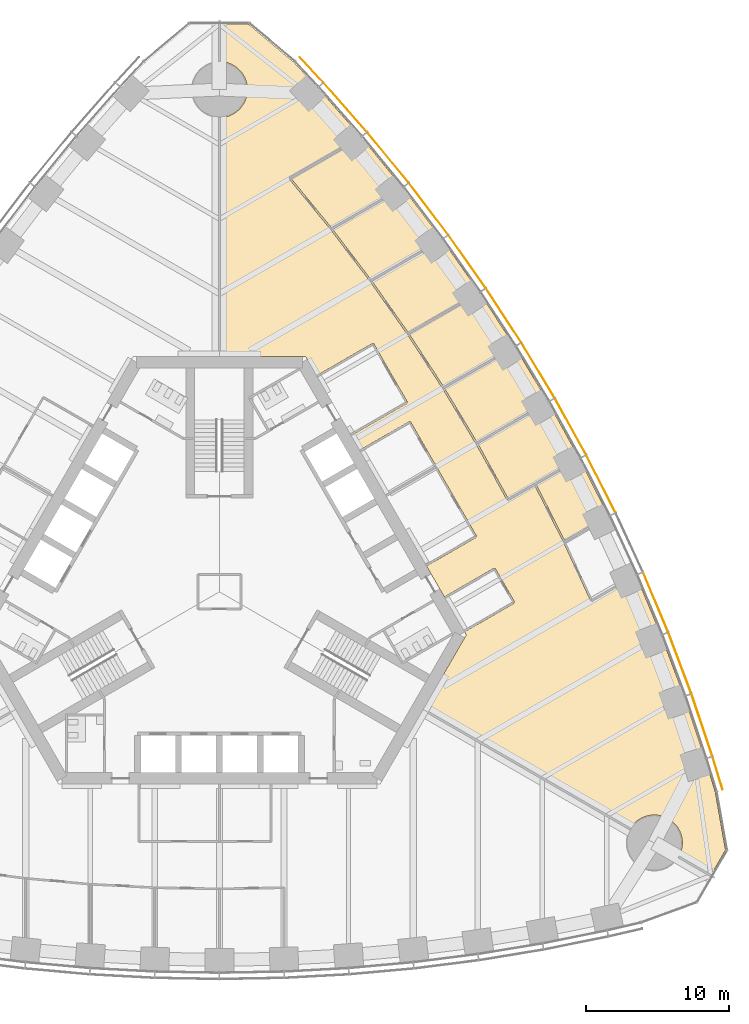
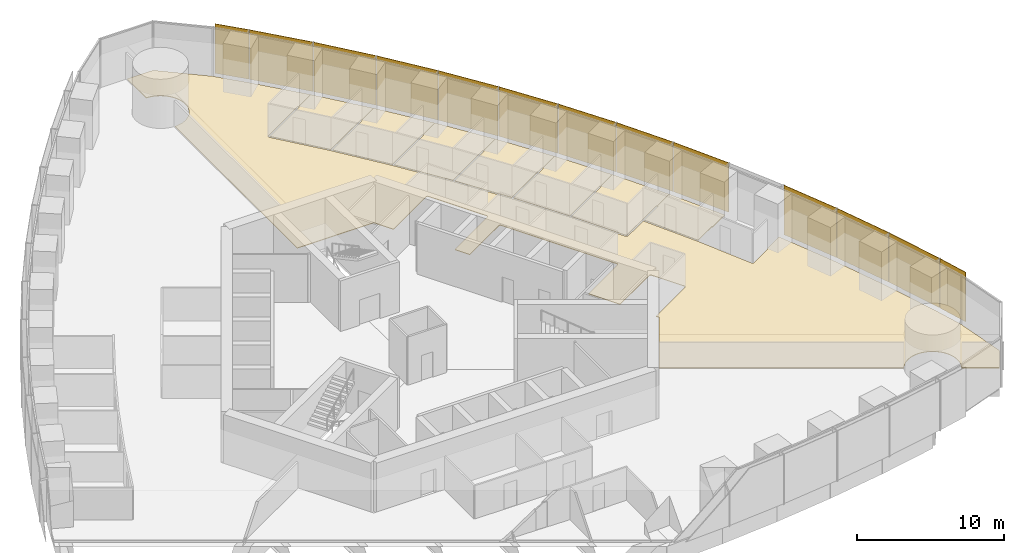
# One storey, part 16 of 18: 13 shading devices, 8 coverings.
"""IFC4 building model written with IfcOpenShell, lengths in metres."""

from ifc_helpers import new_model, si_unit, direction, frame, origin, origin_2d, place, context, subcontext, project, spatial, polyline, rectangle, outline, extrude, material, layer, layer_set, type_object, element, save


model = new_model("IFC4")

# Units and contexts
model_context = context("Model", 3, precision=1e-05, world=origin(), true_north=direction((0.0, 1.0)))
body_context = subcontext(model_context, "Body", "Model", "MODEL_VIEW")
ifc_project = project(units=[si_unit("LENGTHUNIT", "METRE"), si_unit("AREAUNIT", "SQUARE_METRE"), si_unit("VOLUMEUNIT", "CUBIC_METRE"), si_unit("PLANEANGLEUNIT", "RADIAN"), si_unit("MASSUNIT", "GRAM", prefix="KILO")], contexts=[model_context])

# Site, building, storey
site_placement = place(None, origin())
site = spatial("IfcSite", under=ifc_project, at=site_placement, CompositionType="ELEMENT")
building_placement = place(site_placement, origin())
building = spatial("IfcBuilding", under=site, at=building_placement, Name="Trefoil Bronze Tower", CompositionType="ELEMENT")
storey_placement = place(building_placement, frame((0.0, 0.0, 157.699951171875)))
storey = spatial("IfcBuildingStorey", under=building, at=storey_placement, Name="L36", CompositionType="ELEMENT", Elevation=157.699951171875)

# Shading devices
ifc_material_1 = material(Name="Perforated bronze sheet", Category="bronze")
ifc_layer_1 = layer(ifc_material_1, 0.0400390625)
ifc_layer_set_1 = layer_set([ifc_layer_1], Name="Bronze solar screen panel")
shading_device_type = type_object("IfcShadingDeviceType", Name="Bronze solar screen panel", PredefinedType="SHUTTER", material=ifc_layer_set_1)
shading_device_1_placement = place(storey_placement, frame((34.717529296875, -12.634765625, 0.050048828125), z_axis=(0.0, 0.0, 1.0), x_axis=(-0.291668676391, 0.956519410787, 0.0)))
element("IfcShadingDevice", 1, at=shading_device_1_placement, inside=storey, type_object=shading_device_type, Name="Solar screen CW-A L36 F2 bay 1", PredefinedType="SHUTTER", context=body_context, shape_type="SweptSolid", body=[
    extrude(rectangle(XDim=2.39013671875, YDim=0.0400390625, at=origin_2d()), origin(), (0.0, 0.0, 1.0), 4.10009765625),
])
shading_device_2_placement = place(storey_placement, frame((33.62890625, -9.286865234375, 0.050048828125), z_axis=(0.0, 0.0, 1.0), x_axis=(-0.318403749569, 0.947955195281, 0.0)))
element("IfcShadingDevice", 2, at=shading_device_2_placement, inside=storey, type_object=shading_device_type, Name="Solar screen CW-A L36 F2 bay 2", PredefinedType="SHUTTER", context=body_context, shape_type="SweptSolid", body=[
    extrude(rectangle(XDim=4.56103515625, YDim=0.0400390625, at=origin_2d()), origin(), (0.0, 0.0, 1.0), 4.10009765625),
])
shading_device_3_placement = place(storey_placement, frame((32.086669921875, -4.95849609375, 0.050048828125), z_axis=(0.0, 0.0, 1.0), x_axis=(-0.352919739707, 0.935653599002, 0.0)))
element("IfcShadingDevice", 3, at=shading_device_3_placement, inside=storey, type_object=shading_device_type, Name="Solar screen CW-A L36 F2 bay 3", PredefinedType="SHUTTER", context=body_context, shape_type="SweptSolid", body=[
    extrude(rectangle(XDim=4.5302734375, YDim=0.0400390625, at=origin_2d()), origin(), (0.0, 0.0, 1.0), 4.10009765625),
])
shading_device_4_placement = place(storey_placement, frame((30.3974609375, -0.715087890625, 0.050048828125), z_axis=(0.0, 0.0, 1.0), x_axis=(-0.386759234303, 0.922180727776, 0.0)))
element("IfcShadingDevice", 4, at=shading_device_4_placement, inside=storey, type_object=shading_device_type, Name="Solar screen CW-A L36 F2 bay 4", PredefinedType="SHUTTER", context=body_context, shape_type="SweptSolid", body=[
    extrude(rectangle(XDim=4.50634765625, YDim=0.0400390625, at=origin_2d()), origin(), (0.0, 0.0, 1.0), 4.10009765625),
])
shading_device_5_placement = place(storey_placement, frame((26.5869140625, 7.52197265625, 0.050048828125), z_axis=(0.0, 0.0, 1.0), x_axis=(-0.452448919686, 0.891790320128, 0.0)))
element("IfcShadingDevice", 5, at=shading_device_5_placement, inside=storey, type_object=shading_device_type, Name="Solar screen CW-A L36 F2 bay 6", PredefinedType="SHUTTER", context=body_context, shape_type="SweptSolid", body=[
    extrude(rectangle(XDim=4.4765625, YDim=0.0400390625, at=origin_2d()), origin(), (0.0, 0.0, 1.0), 4.10009765625),
])
for number, where, z_axis, x_axis, name in (
    (6, (24.468505859375, 11.517578125, 0.050048828125), (0.0, 0.0, 1.0), (-0.484312195836, 0.874895249138, 0.0), "Solar screen CW-A L36 F2 bay 7"),
    (7, (22.208740234375, 15.431396484375, 0.050048828125), (0.0, 0.0, 1.0), (-0.515525413486, 0.856874289526, 0.0), "Solar screen CW-A L36 F2 bay 8"),
):
    element("IfcShadingDevice", number, at=place(storey_placement, frame(where, z_axis=z_axis, x_axis=x_axis)), inside=storey, type_object=shading_device_type, Name=name, PredefinedType="SHUTTER", context=body_context, shape_type="SweptSolid", body=[
        extrude(rectangle(XDim=4.470703125, YDim=0.0400390625, at=origin_2d()), origin(), (0.0, 0.0, 1.0), 4.10009765625),
    ])
shading_device_6_placement = place(storey_placement, frame((19.8076171875, 19.263916015625, 0.050048828125), z_axis=(0.0, 0.0, 1.0), x_axis=(-0.546088612237, 0.837727418427, 0.0)))
element("IfcShadingDevice", 8, at=shading_device_6_placement, inside=storey, type_object=shading_device_type, Name="Solar screen CW-A L36 F2 bay 9", PredefinedType="SHUTTER", context=body_context, shape_type="SweptSolid", body=[
    extrude(rectangle(XDim=4.4765625, YDim=0.0400390625, at=origin_2d()), origin(), (0.0, 0.0, 1.0), 4.10009765625),
])
shading_device_7_placement = place(storey_placement, frame((17.264892578125, 23.014404296875, 0.050048828125), z_axis=(0.0, 0.0, 1.0), x_axis=(-0.575999283275, 0.817450197667, 0.0)))
element("IfcShadingDevice", 9, at=shading_device_7_placement, inside=storey, type_object=shading_device_type, Name="Solar screen CW-A L36 F2 bay 10", PredefinedType="SHUTTER", context=body_context, shape_type="SweptSolid", body=[
    extrude(rectangle(XDim=4.48828125, YDim=0.0400390625, at=origin_2d()), origin(), (0.0, 0.0, 1.0), 4.10009765625),
])
shading_device_8_placement = place(storey_placement, frame((14.579345703125, 26.6826171875, 0.050048828125), z_axis=(0.0, 0.0, 1.0), x_axis=(-0.605252319983, 0.796033685943, 0.0)))
element("IfcShadingDevice", 10, at=shading_device_8_placement, inside=storey, type_object=shading_device_type, Name="Solar screen CW-A L36 F2 bay 11", PredefinedType="SHUTTER", context=body_context, shape_type="SweptSolid", body=[
    extrude(rectangle(XDim=4.50634765625, YDim=0.0400390625, at=origin_2d()), origin(), (0.0, 0.0, 1.0), 4.10009765625),
])
shading_device_9_placement = place(storey_placement, frame((11.7490234375, 30.26708984375, 0.050048828125), z_axis=(0.0, 0.0, 1.0), x_axis=(-0.633839916024, 0.773464259584, 0.0)))
element("IfcShadingDevice", 11, at=shading_device_9_placement, inside=storey, type_object=shading_device_type, Name="Solar screen CW-A L36 F2 bay 12", PredefinedType="SHUTTER", context=body_context, shape_type="SweptSolid", body=[
    extrude(rectangle(XDim=4.5302734375, YDim=0.0400390625, at=origin_2d()), origin(), (0.0, 0.0, 1.0), 4.10009765625),
])
shading_device_10_placement = place(storey_placement, frame((8.77197265625, 33.766845703125, 0.050048828125), z_axis=(0.0, 0.0, 1.0), x_axis=(-0.661751405978, 0.749723333428, 0.0)))
element("IfcShadingDevice", 12, at=shading_device_10_placement, inside=storey, type_object=shading_device_type, Name="Solar screen CW-A L36 F2 bay 13", PredefinedType="SHUTTER", context=body_context, shape_type="SweptSolid", body=[
    extrude(rectangle(XDim=4.56103515625, YDim=0.0400390625, at=origin_2d()), origin(), (0.0, 0.0, 1.0), 4.10009765625),
])
shading_device_11_placement = place(storey_placement, frame((6.416748046875, 36.383544921875, 0.050048828125), z_axis=(0.0, 0.0, 1.0), x_axis=(-0.682535770759, 0.730852188636, 0.0)))
element("IfcShadingDevice", 13, at=shading_device_11_placement, inside=storey, type_object=shading_device_type, Name="Solar screen CW-A L36 F2 bay 14", PredefinedType="SHUTTER", context=body_context, shape_type="SweptSolid", body=[
    extrude(rectangle(XDim=2.39013671875, YDim=0.0400390625, at=origin_2d()), origin(), (0.0, 0.0, 1.0), 4.10009765625),
])

# Coverings
ifc_material_2 = material(Name="Raised access floor panels", Category="steel")
ifc_layer_2 = layer(ifc_material_2, 0.050048828125)
ifc_layer_set_2 = layer_set([ifc_layer_2], Name="Raised access floor 150")
covering_type = type_object("IfcCoveringType", Name="Raised access floor 150", PredefinedType="FLOORING", material=ifc_layer_set_2)
covering_1_placement = place(storey_placement, frame((0.0, 0.0, 0.10009765625)))
element("IfcCovering", 14, at=covering_1_placement, inside=storey, type_object=covering_type, Name="Raised floor L36 Office F2", PredefinedType="FLOORING", context=body_context, shape_type="SweptSolid", body=[
    extrude(outline(polyline([(9.885986328125, 31.6884765625), (12.776611328125, 28.1611328125), (11.350341796875, 27.337646484375), (11.3203125, 27.3896484375), (7.811279296875, 25.36376953125), (4.997802734375, 28.796875), (8.481201171875, 30.80810546875), (8.451171875, 30.860107421875), (9.885986328125, 31.6884765625)])), origin(), (0.0, 0.0, 1.0), 0.050048828125),
])
covering_2_placement = place(storey_placement, frame((0.0, 0.0, 0.10009765625)))
element("IfcCovering", 15, at=covering_2_placement, inside=storey, type_object=covering_type, Name="Raised floor L36 Office F2", PredefinedType="FLOORING", context=body_context, shape_type="SweptSolid", body=[
    extrude(outline(polyline([(12.776611328125, 28.1611328125), (15.522216796875, 24.55029296875), (14.102294921875, 23.73046875), (14.072509765625, 23.782470703125), (10.558349609375, 21.753662109375), (7.885986328125, 25.268310546875), (11.38037109375, 27.28564453125), (11.350341796875, 27.337646484375), (12.776611328125, 28.1611328125)])), origin(), (0.0, 0.0, 1.0), 0.050048828125),
])
covering_3_placement = place(storey_placement, frame((0.0, 0.0, 0.10009765625)))
element("IfcCovering", 16, at=covering_3_placement, inside=storey, type_object=covering_type, Name="Raised floor L36 Office F2", PredefinedType="FLOORING", context=body_context, shape_type="SweptSolid", body=[
    extrude(outline(polyline([(18.124755859375, 20.856689453125), (16.709716796875, 20.03955078125), (16.6796875, 20.091552734375), (13.16259765625, 18.06103515625), (10.62939453125, 21.656005859375), (14.13232421875, 23.678466796875), (14.102294921875, 23.73046875), (15.522216796875, 24.55029296875), (18.124755859375, 20.856689453125)])), origin(), (0.0, 0.0, 1.0), 0.050048828125),
])
covering_4_placement = place(storey_placement, frame((0.0, 0.0, 0.10009765625)))
element("IfcCovering", 17, at=covering_4_placement, inside=storey, type_object=covering_type, Name="Raised floor L36 Office F2", PredefinedType="FLOORING", context=body_context, shape_type="SweptSolid", body=[
    extrude(outline(polyline([(20.585693359375, 17.081298828125), (19.17333984375, 16.265869140625), (19.143310546875, 16.31787109375), (15.62548828125, 14.286865234375), (13.22998046875, 17.96142578125), (16.739501953125, 19.987548828125), (16.709716796875, 20.03955078125), (18.124755859375, 20.856689453125), (20.585693359375, 17.081298828125)])), origin(), (0.0, 0.0, 1.0), 0.050048828125),
])
covering_5_placement = place(storey_placement, frame((0.0, 0.0, 0.10009765625)))
element("IfcCovering", 18, at=covering_5_placement, inside=storey, type_object=covering_type, Name="Raised floor L36 Office F2", PredefinedType="FLOORING", context=body_context, shape_type="SweptSolid", body=[
    extrude(outline(polyline([(20.585693359375, 17.081298828125), (22.906005859375, 13.224853515625), (21.494384765625, 12.409912109375), (21.464599609375, 12.4619140625), (17.947509765625, 10.431396484375), (15.689208984375, 14.18505859375), (19.203369140625, 16.2138671875), (19.17333984375, 16.265869140625), (20.585693359375, 17.081298828125)])), origin(), (0.0, 0.0, 1.0), 0.050048828125),
])
covering_6_placement = place(storey_placement, frame((0.0, 0.0, 0.10009765625)))
element("IfcCovering", 19, at=covering_6_placement, inside=storey, type_object=covering_type, Name="Raised floor L36 Office F2", PredefinedType="FLOORING", context=body_context, shape_type="SweptSolid", body=[
    extrude(outline(polyline([(22.906005859375, 13.224853515625), (25.085693359375, 9.287109375), (23.67333984375, 8.4716796875), (23.643310546875, 8.523681640625), (20.129150390625, 6.49462890625), (18.007568359375, 10.327392578125), (21.5244140625, 12.35791015625), (21.494384765625, 12.409912109375), (22.906005859375, 13.224853515625)])), origin(), (0.0, 0.0, 1.0), 0.050048828125),
])
covering_7_placement = place(storey_placement, frame((0.0, 0.0, 0.10009765625)))
element("IfcCovering", 20, at=covering_7_placement, inside=storey, type_object=covering_type, Name="Raised floor L36 Print and store room F2", PredefinedType="FLOORING", context=body_context, shape_type="SweptSolid", body=[
    extrude(outline(polyline([(25.085693359375, 9.287109375), (27.124755859375, 5.268310546875), (25.709716796875, 4.451171875), (25.6796875, 4.503173828125), (24.062255859375, 3.5693359375), (22.07763671875, 7.481201171875), (23.703369140625, 8.419677734375), (23.67333984375, 8.4716796875), (25.085693359375, 9.287109375)])), origin(), (0.0, 0.0, 1.0), 0.050048828125),
])
covering_8_placement = place(storey_placement, frame((0.0, 0.0, 0.10009765625)))
element("IfcCovering", 21, at=covering_8_placement, inside=storey, type_object=covering_type, Name="Raised floor L36 Open-plan office F2", PredefinedType="FLOORING", context=body_context, shape_type="SweptSolid", body=[
    extrude(outline(polyline([(9.885986328125, 31.6884765625), (8.451171875, 30.860107421875), (8.421142578125, 30.912109375), (4.87646484375, 28.865478515625), (4.906494140625, 28.8134765625), (4.860107421875, 28.775390625), (7.75, 25.2490234375), (10.494140625, 21.639892578125), (13.095458984375, 17.947998046875), (15.555419921875, 14.174560546875), (17.87451171875, 10.31982421875), (20.0537109375, 6.383056640625), (20.106201171875, 6.412109375), (20.13623046875, 6.360107421875), (21.9736328125, 7.4208984375), (23.9833984375, 3.459716796875), (25.88037109375, -0.64013671875), (25.934814453125, -0.614990234375), (25.96484375, -0.6669921875), (27.63232421875, 0.2958984375), (27.602294921875, 0.347900390625), (29.022216796875, 1.16748046875), (30.776611328125, -3.015625), (32.385986328125, -7.28271484375), (33.847900390625, -11.634765625), (34.5537109375, -13.94970703125), (35.2666015625, -17.99169921875), (34.247802734375, -19.755859375), (32.006103515625, -18.462646484375), (32.030517578125, -18.419189453125), (32.07373046875, -18.333740234375), (32.112548828125, -18.24609375), (32.14697265625, -18.156982421875), (32.177001953125, -18.066162109375), (32.202392578125, -17.973876953125), (32.223388671875, -17.88037109375), (32.23974609375, -17.7861328125), (32.25146484375, -17.691162109375), (32.258544921875, -17.595703125), (32.260986328125, -17.5), (32.258544921875, -17.404296875), (32.25146484375, -17.308837890625), (32.23974609375, -17.2138671875), (32.223388671875, -17.11962890625), (32.202392578125, -17.026123046875), (32.177001953125, -16.933837890625), (32.14697265625, -16.843017578125), (32.112548828125, -16.75390625), (32.07373046875, -16.666259765625), (32.030517578125, -16.580810546875), (31.9833984375, -16.49755859375), (31.932373046875, -16.41650390625), (31.877197265625, -16.33837890625), (31.818359375, -16.262939453125), (31.755615234375, -16.1904296875), (31.689697265625, -16.12109375), (31.620361328125, -16.05517578125), (31.548095703125, -15.99267578125), (31.472412109375, -15.93359375), (31.394287109375, -15.878662109375), (31.3134765625, -15.827392578125), (31.22998046875, -15.7802734375), (31.14453125, -15.7373046875), (31.05712890625, -15.698486328125), (30.9677734375, -15.6640625), (30.876953125, -15.634033203125), (30.78466796875, -15.6083984375), (30.69140625, -15.58740234375), (30.596923828125, -15.571044921875), (30.501953125, -15.559326171875), (30.406494140625, -15.55224609375), (30.310791015625, -15.550048828125), (30.215087890625, -15.55224609375), (30.119873046875, -15.559326171875), (30.02490234375, -15.571044921875), (29.930419921875, -15.58740234375), (29.837158203125, -15.6083984375), (29.744873046875, -15.634033203125), (29.654052734375, -15.6640625), (29.564697265625, -15.698486328125), (29.477294921875, -15.7373046875), (29.3916015625, -15.7802734375), (29.308349609375, -15.827392578125), (29.2275390625, -15.878662109375), (29.1494140625, -15.93359375), (29.07373046875, -15.99267578125), (29.001220703125, -16.05517578125), (28.931884765625, -16.12109375), (28.865966796875, -16.1904296875), (28.803466796875, -16.262939453125), (28.74462890625, -16.33837890625), (28.689453125, -16.41650390625), (28.628662109375, -16.514404296875), (14.205810546875, -8.194580078125), (17.205078125, -3.0), (17.084716796875, -2.79150390625), (20.548828125, -0.79150390625), (20.518798828125, -0.73974609375), (20.57080078125, -0.709716796875), (19.220703125, 1.628662109375), (19.168701171875, 1.5986328125), (19.138916015625, 1.650634765625), (15.6748046875, -0.349365234375), (14.434814453125, 1.79833984375), (17.898681640625, 3.79833984375), (17.868896484375, 3.850341796875), (17.9208984375, 3.88037109375), (13.32080078125, 11.84765625), (13.268798828125, 11.817626953125), (13.23876953125, 11.86962890625), (9.774658203125, 9.86962890625), (9.184814453125, 10.8916015625), (13.081787109375, 13.1416015625), (13.052001953125, 13.193603515625), (13.103759765625, 13.223388671875), (10.75390625, 17.293701171875), (10.701904296875, 17.263916015625), (10.671875, 17.31591796875), (6.774658203125, 15.06591796875), (6.00439453125, 16.39990234375), (0.006103515625, 16.39990234375), (0.012451171875, 33.05029296875), (0.095703125, 33.05224609375), (0.191162109375, 33.059326171875), (0.2861328125, 33.071044921875), (0.38037109375, 33.08740234375), (0.473876953125, 33.1083984375), (0.566162109375, 33.134033203125), (0.656982421875, 33.1640625), (0.74609375, 33.198486328125), (0.833740234375, 33.2373046875), (0.919189453125, 33.2802734375), (1.00244140625, 33.327392578125), (1.08349609375, 33.378662109375), (1.16162109375, 33.43359375), (1.237060546875, 33.49267578125), (1.3095703125, 33.55517578125), (1.37890625, 33.62109375), (1.44482421875, 33.6904296875), (1.50732421875, 33.762939453125), (1.56640625, 33.83837890625), (1.621337890625, 33.91650390625), (1.672607421875, 33.99755859375), (1.7197265625, 34.080810546875), (1.7626953125, 34.166259765625), (1.801513671875, 34.25390625), (1.8359375, 34.343017578125), (1.865966796875, 34.433837890625), (1.8916015625, 34.526123046875), (1.91259765625, 34.61962890625), (1.928955078125, 34.7138671875), (1.940673828125, 34.808837890625), (1.94775390625, 34.904296875), (1.949951171875, 35.0), (1.94775390625, 35.095703125), (1.940673828125, 35.191162109375), (1.928955078125, 35.2861328125), (1.91259765625, 35.38037109375), (1.8916015625, 35.473876953125), (1.865966796875, 35.566162109375), (1.8359375, 35.656982421875), (1.801513671875, 35.74609375), (1.7626953125, 35.833740234375), (1.7197265625, 35.919189453125), (1.672607421875, 36.00244140625), (1.621337890625, 36.08349609375), (1.56640625, 36.16162109375), (1.50732421875, 36.237060546875), (1.44482421875, 36.3095703125), (1.37890625, 36.37890625), (1.3095703125, 36.44482421875), (1.237060546875, 36.50732421875), (1.16162109375, 36.56640625), (1.08349609375, 36.621337890625), (1.00244140625, 36.672607421875), (0.919189453125, 36.7197265625), (0.833740234375, 36.7626953125), (0.74609375, 36.801513671875), (0.656982421875, 36.8359375), (0.566162109375, 36.865966796875), (0.473876953125, 36.8916015625), (0.38037109375, 36.91259765625), (0.2861328125, 36.928955078125), (0.191162109375, 36.940673828125), (0.095703125, 36.94775390625), (0.013916015625, 36.94970703125), (0.014892578125, 39.53759765625), (2.052001953125, 39.53759765625), (5.1962890625, 36.8994140625), (6.847900390625, 35.130615234375), (9.885986328125, 31.6884765625)])), origin(), (0.0, 0.0, 1.0), 0.050048828125),
])

save(model, "model.ifc")
